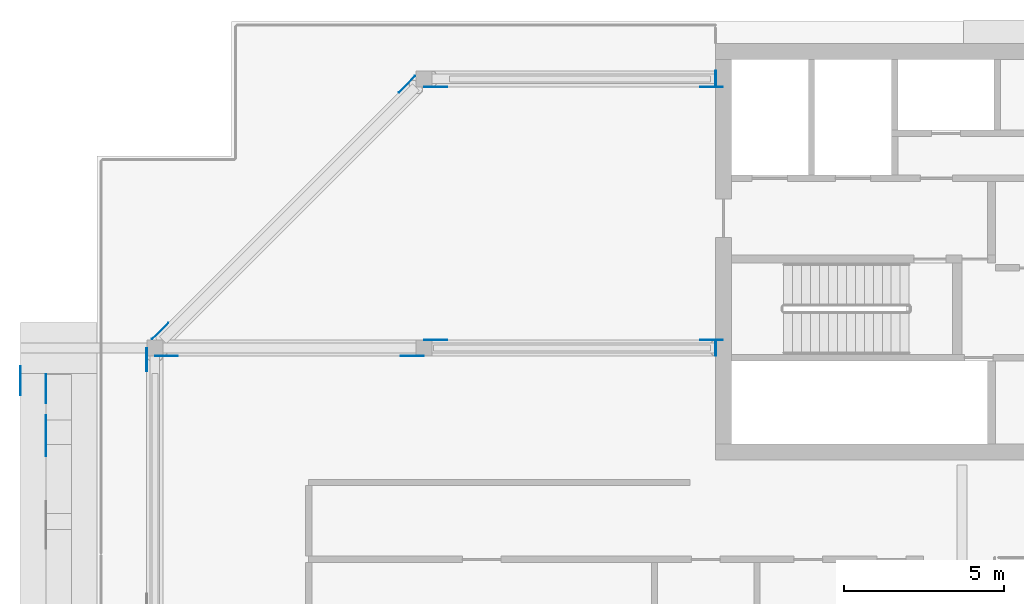
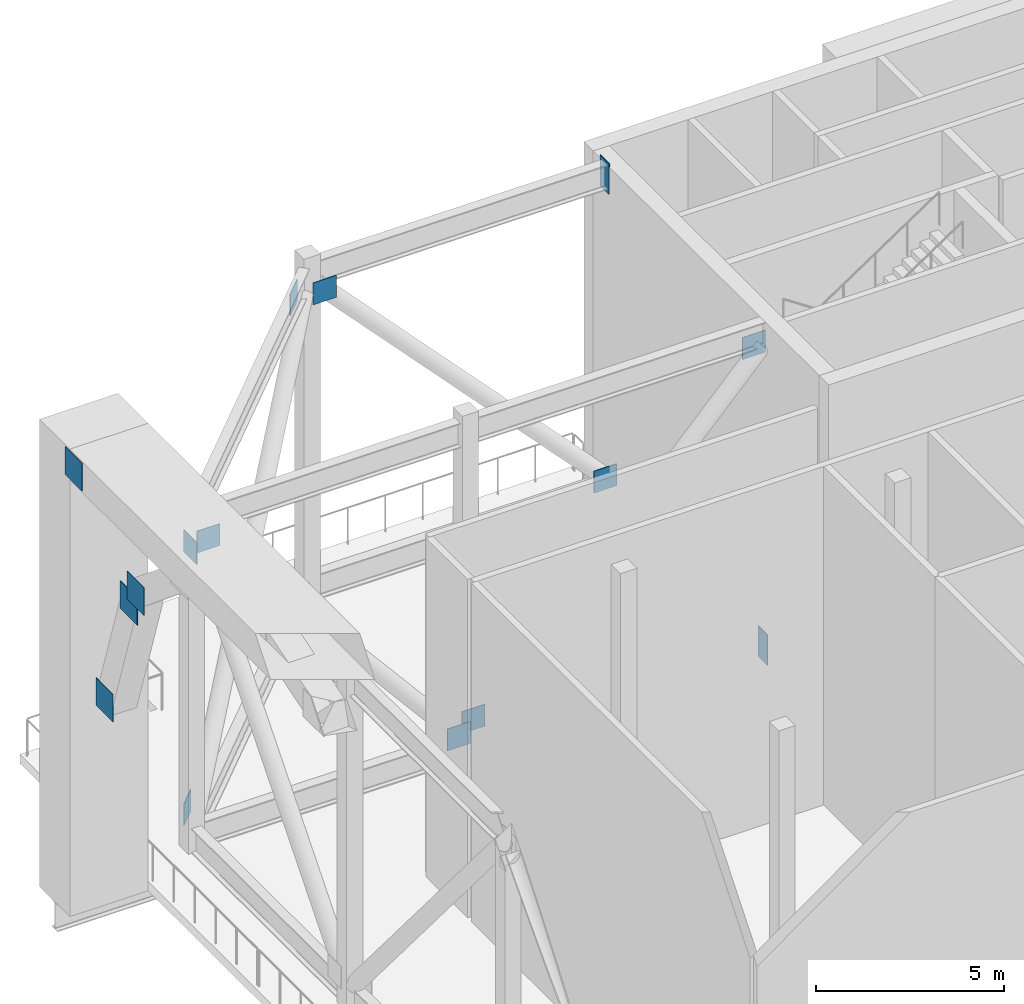
# One storey, part 13 of 20: 15 discrete accessories.
"""IFC4 building model written with IfcOpenShell, lengths in metres."""

from ifc_helpers import new_model, si_unit, direction, frame, origin, origin_2d, place, context, subcontext, project, spatial, rectangle, extrude, element, save


model = new_model("IFC4")

# Units and contexts
model_context = context("Model", 3, precision=1e-05, world=origin(), true_north=direction((0.0, 1.0)))
body_context = subcontext(model_context, "Body", "Model", "MODEL_VIEW")
ifc_project = project(units=[si_unit("LENGTHUNIT", "METRE"), si_unit("AREAUNIT", "SQUARE_METRE"), si_unit("VOLUMEUNIT", "CUBIC_METRE"), si_unit("PLANEANGLEUNIT", "RADIAN"), si_unit("MASSUNIT", "GRAM", prefix="KILO")], contexts=[model_context])

# Site, building, storey
site_placement = place(None, origin())
site = spatial("IfcSite", under=ifc_project, at=site_placement, CompositionType="ELEMENT")
building_placement = place(site_placement, origin())
building = spatial("IfcBuilding", under=site, at=building_placement, Name="Saffron Gate Tower", CompositionType="ELEMENT")
storey_placement = place(building_placement, frame((0.0, 0.0, 252.300048828125)))
storey = spatial("IfcBuildingStorey", under=building, at=storey_placement, Name="L62", CompositionType="ELEMENT", Elevation=252.300048828125)

# Discrete accessories
for number, where, z_axis, x_axis, name in (
    (1, (49.5458984375, 65.035400390625, 9.678466796875), (0.0, 0.0, 1.0), (0.0, 1.0, 0.0), "GUSSET PLATE"),
    (2, (49.966796875, 65.92578125, 0.558837890625), (0.0, 0.0, 1.0), (0.707106781187, 0.707106781187, 0.0), "GUSSET PLATE"),
    (3, (57.674072265625, 73.63330078125, 9.7001953125), (0.0, 0.0, 1.0), (0.707106781187, 0.707106781187, 0.0), "GUSSET PLATE"),
    (4, (57.83544921875, 65.14599609375, 0.580322265625), (0.0, 0.0, 1.0), (-1.0, 0.0, 0.0), "GUSSET PLATE"),
    (5, (50.16455078125, 65.14599609375, 9.678466796875), (0.0, 0.0, 1.0), (-1.0, 0.0, 0.0), "GUSSET PLATE"),
    (6, (58.572021484375, 65.654052734375, 0.57373046875), (0.0, 0.0, 1.0), (1.0, 0.0, 0.0), "GUSSET PLATE"),
    (7, (67.177978515625, 65.654052734375, 9.685302734375), (0.0, 0.0, 1.0), (1.0, 0.0, 0.0), "GUSSET PLATE"),
    (8, (67.177978515625, 73.5458984375, 0.57373046875), (0.0, 0.0, 1.0), (-1.0, 0.0, 0.0), "GUSSET PLATE"),
    (9, (58.572021484375, 73.5458984375, 9.685302734375), (0.0, 0.0, 1.0), (-1.0, 0.0, 0.0), "GUSSET PLATE"),
):
    element("IfcDiscreteAccessory", number, at=place(storey_placement, frame(where, z_axis=z_axis, x_axis=x_axis)), inside=storey, Name=name, ObjectType="GUSSET PLATE", PredefinedType="USERDEFINED", context=body_context, shape_type="SweptSolid", body=[
        extrude(rectangle(XDim=0.7109375, YDim=0.02001953125, at=origin_2d()), origin(), (0.0, 0.0, 1.0), 0.7109375),
    ])
for number, where, z_axis, x_axis, name in (
    (10, (46.39990234375, 62.4755859375, 10.737548828125), (0.0, 0.0, 1.0), (0.0, 1.0, 0.0), "EMBEDDED PLATE"),
    (11, (46.39990234375, 62.8447265625, 10.19677734375), (0.0, 0.0, 1.0), (0.0, 1.0, 0.0), "EMBEDDED PLATE"),
    (12, (46.39990234375, 64.1298828125, 6.28125), (0.0, 0.0, 1.0), (0.0, 1.0, 0.0), "EMBEDDED PLATE"),
    (13, (45.60009765625, 64.375, 13.89990234375), (0.0, 0.0, 1.0), (0.0, 1.0, 0.0), "EMBEDDED PLATE"),
):
    element("IfcDiscreteAccessory", number, at=place(storey_placement, frame(where, z_axis=z_axis, x_axis=x_axis)), inside=storey, Name=name, ObjectType="EMBEDDED PLATE", PredefinedType="USERDEFINED", context=body_context, shape_type="SweptSolid", body=[
        extrude(rectangle(XDim=0.89990234375, YDim=0.02001953125, at=origin_2d()), origin(), (0.0, 0.0, 1.0), 0.89990234375),
    ])
for number, where, z_axis, x_axis, name in (
    (14, (67.31005859375, 65.39990234375, -0.10009765625), (0.0, 0.0, 1.0), (1.0, 0.0, 0.0), "OUTRIGGER CAST-IN PLATE"),
    (15, (67.31005859375, 73.800048828125, 10.070068359375), (0.0, 0.0, 1.0), (1.0, 0.0, 0.0), "OUTRIGGER CAST-IN PLATE"),
):
    element("IfcDiscreteAccessory", number, at=place(storey_placement, frame(where, z_axis=z_axis, x_axis=x_axis)), inside=storey, Name=name, ObjectType="OUTRIGGER CAST-IN PLATE", PredefinedType="USERDEFINED", context=body_context, shape_type="SweptSolid", body=[
        extrude(rectangle(XDim=0.02001953125, YDim=0.5, at=origin_2d()), origin(), (0.0, 0.0, 1.0), 1.0),
    ])

save(model, "model.ifc")
